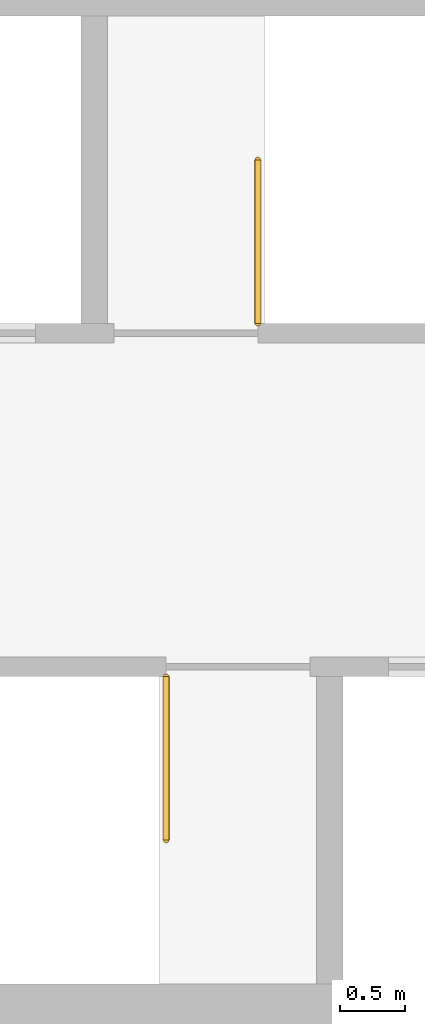
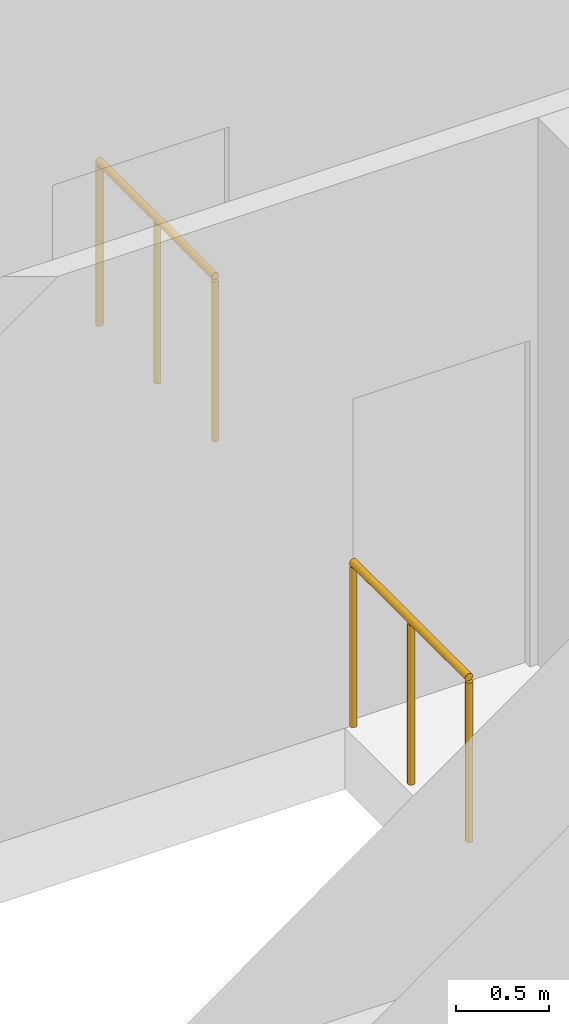
# One storey, part 6 of 6: 2 railings.
"""IFC4 building model written with IfcOpenShell, lengths in metres."""

from ifc_helpers import new_model, si_unit, direction, frame, origin, origin_2d, place, context, subcontext, project, spatial, circle, extrude, material, type_object, element, save


model = new_model("IFC4")

# Units and contexts
model_context = context("Model", 3, precision=1e-05, world=origin(), true_north=direction((0.0, 1.0)))
body_context = subcontext(model_context, "Body", "Model", "MODEL_VIEW")
ifc_project = project(units=[si_unit("LENGTHUNIT", "METRE"), si_unit("AREAUNIT", "SQUARE_METRE"), si_unit("VOLUMEUNIT", "CUBIC_METRE"), si_unit("PLANEANGLEUNIT", "RADIAN"), si_unit("MASSUNIT", "GRAM", prefix="KILO")], contexts=[model_context])

# Site, building, storey
site_placement = place(None, origin())
site = spatial("IfcSite", under=ifc_project, at=site_placement, CompositionType="ELEMENT")
building_placement = place(site_placement, origin())
building = spatial("IfcBuilding", under=site, at=building_placement, Name="Siaravel Broadcast Tower", CompositionType="ELEMENT")
storey_placement = place(building_placement, frame((0.0, 0.0, 292.10009765625)))
storey = spatial("IfcBuildingStorey", under=building, at=storey_placement, Name="L71", CompositionType="ELEMENT", Elevation=292.10009765625)

# Railings
ifc_material = material(Name="Stainless steel 316L", Category="steel")
railing_type = type_object("IfcRailingType", Name="Stair guard 1100", PredefinedType="GUARDRAIL", material=ifc_material)
railing_1_placement = place(storey_placement, frame((0.35009765625, 1.35009765625, 0.0)))
element("IfcRailing", 1, at=railing_1_placement, inside=storey, type_object=railing_type, Name="L71 ST-C1 top well guard 1", PredefinedType="GUARDRAIL", context=body_context, shape_type="SweptSolid", body=[
    extrude(circle(Radius=0.02392578125, at=origin_2d()), frame((0.0, 0.0, 1.076171875), z_axis=(0.0, 1.0, 0.0), x_axis=(-1.0, 0.0, 0.0)), (0.0, 0.0, 1.0), 1.25),
    extrude(circle(Radius=0.02099609375, at=origin_2d()), origin(), (0.0, 0.0, 1.0), 1.052001953125),
    extrude(circle(Radius=0.02099609375, at=origin_2d()), frame((0.0, 0.625, 0.0)), (0.0, 0.0, 1.0), 1.052001953125),
    extrude(circle(Radius=0.02099609375, at=origin_2d()), frame((0.0, 1.25, 0.0)), (0.0, 0.0, 1.0), 1.052001953125),
])
railing_2_placement = place(storey_placement, frame((-0.35009765625, -1.35009765625, 0.0)))
element("IfcRailing", 2, at=railing_2_placement, inside=storey, type_object=railing_type, Name="L71 ST-C2 top well guard 1", PredefinedType="GUARDRAIL", context=body_context, shape_type="SweptSolid", body=[
    extrude(circle(Radius=0.02392578125, at=origin_2d()), frame((0.0, 0.0, 1.076171875), z_axis=(0.0, -1.0, 0.0), x_axis=(1.0, 0.0, 0.0)), (0.0, 0.0, 1.0), 1.25),
    extrude(circle(Radius=0.02099609375, at=origin_2d()), origin(), (0.0, 0.0, 1.0), 1.052001953125),
    extrude(circle(Radius=0.02099609375, at=origin_2d()), frame((0.0, -0.625, 0.0)), (0.0, 0.0, 1.0), 1.052001953125),
    extrude(circle(Radius=0.02099609375, at=origin_2d()), frame((0.0, -1.25, 0.0)), (0.0, 0.0, 1.0), 1.052001953125),
])

save(model, "model.ifc")
